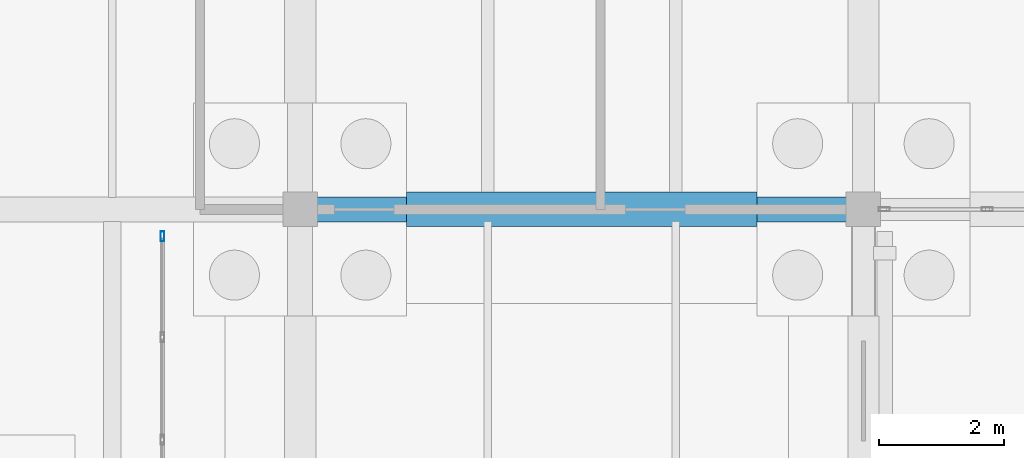
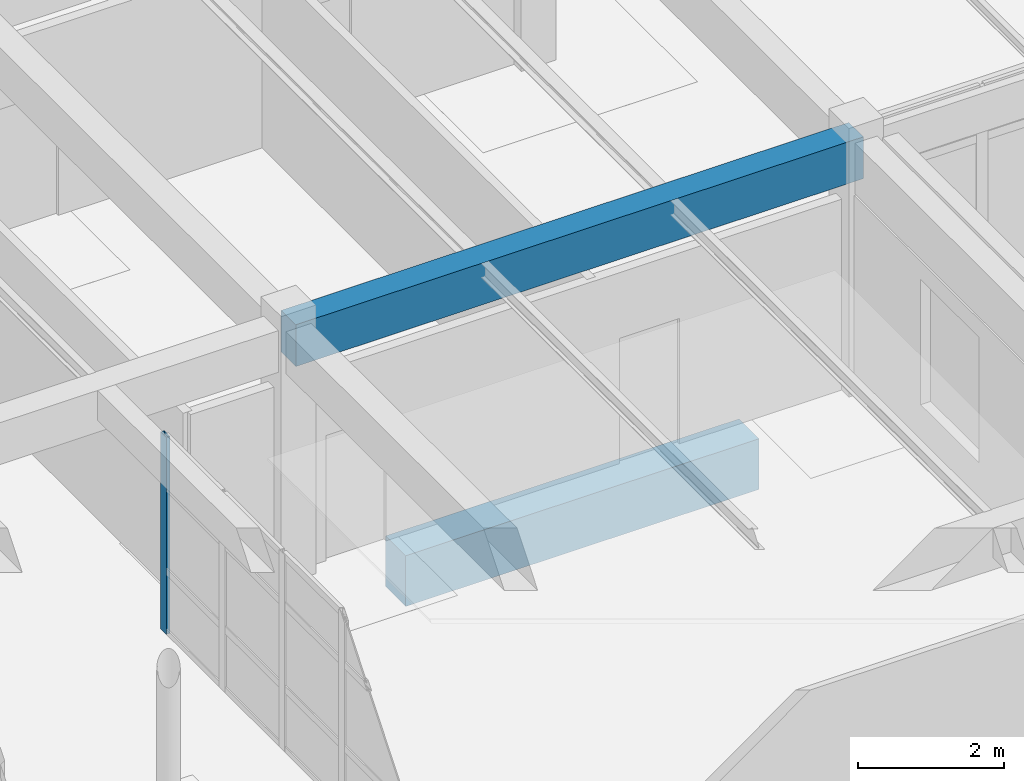
# One storey, part 56 of 186: 2 beams, 1 member, 1 element without a shape of its own.
"""IFC4 building model written with IfcOpenShell, lengths in metres."""

from ifc_helpers import new_model, si_unit, direction, frame, origin, origin_2d, place, context, subcontext, project, spatial, rectangle, hollow_rectangle, extrude, material, layer, layer_set, material_profile, profile_set, type_object, element, aggregate, save


model = new_model("IFC4")

# Units and contexts
model_context = context("Model", 3, precision=1e-05, world=origin(), true_north=direction((0.0, 1.0)))
body_context = subcontext(model_context, "Body", "Model", "MODEL_VIEW")
ifc_project = project(units=[si_unit("LENGTHUNIT", "METRE"), si_unit("AREAUNIT", "SQUARE_METRE"), si_unit("VOLUMEUNIT", "CUBIC_METRE"), si_unit("PLANEANGLEUNIT", "RADIAN"), si_unit("MASSUNIT", "GRAM", prefix="KILO")], contexts=[model_context])

# Site, building, storey
site_placement = place(None, origin())
site = spatial("IfcSite", under=ifc_project, at=site_placement, CompositionType="ELEMENT")
building_placement = place(site_placement, origin())
building = spatial("IfcBuilding", under=site, at=building_placement, Name="Ornek Quay Market", CompositionType="ELEMENT")
storey_placement = place(building_placement, origin())
storey = spatial("IfcBuildingStorey", under=building, at=storey_placement, Name="L00", CompositionType="ELEMENT", Elevation=0.0)

# Beams
ifc_material_1 = material(Name="Concrete C35/45", Category="concrete")
ifc_material_profile_1 = material_profile(ifc_material_1, rectangle(XDim=0.550048828125, YDim=0.85009765625, at=origin_2d()), Name="RC 550x850", Category="concrete")
ifc_profile_set_1 = profile_set([ifc_material_profile_1], Name="Concrete C35/45")
beam_type_1 = type_object("IfcBeamType", Name="BM-GB-550x850", PredefinedType="BEAM", material=ifc_profile_set_1)
beam_1_placement = place(storey_placement, frame((19.699951171875, 92.0, -0.625), z_axis=(1.0, 0.0, 0.0), x_axis=(0.0, 1.0, 0.0)))
element("IfcBeam", 1, at=beam_1_placement, inside=storey, type_object=beam_type_1, Name="Ground tie beam GB-034", PredefinedType="BEAM", context=body_context, shape_type="SweptSolid", body=[
    extrude(rectangle(XDim=0.550048828125, YDim=0.85009765625, at=origin_2d()), origin(), (0.0, 0.0, 1.0), 5.60009765625),
])
ifc_material_profile_2 = material_profile(ifc_material_1, rectangle(XDim=0.39990234375, YDim=0.699951171875, at=origin_2d()), Name="RC 400x700", Category="concrete")
ifc_profile_set_2 = profile_set([ifc_material_profile_2], Name="Concrete C35/45")
beam_type_2 = type_object("IfcBeamType", Name="BM-WW-400x700", PredefinedType="BEAM", material=ifc_profile_set_2)
beam_2_placement = place(storey_placement, frame((18.0, 92.0, 3.8701171875), z_axis=(1.0, 0.0, 0.0), x_axis=(0.0, 1.0, 0.0)))
element("IfcBeam", 2, at=beam_2_placement, inside=storey, type_object=beam_type_2, Name="Primary beam B-WW1-024", PredefinedType="BEAM", context=body_context, shape_type="SweptSolid", body=[
    extrude(rectangle(XDim=0.39990234375, YDim=0.699951171875, at=origin_2d()), origin(), (0.0, 0.0, 1.0), 9.0),
])

# Curtain wall, member
ifc_material_2 = material(Name="Anodised bronze aluminium and triple low-e glass", Category="aluminium")
ifc_layer = layer(ifc_material_2, 0.179931640625, Name="Anodised bronze aluminium and triple low-e glass", Category="aluminium")
ifc_layer_set = layer_set([ifc_layer], Name="Anodised bronze aluminium and triple low-e glass")
curtain_wall_type = type_object("IfcCurtainWallType", Name="CW-CONC-MOD1500", PredefinedType="USERDEFINED", material=ifc_layer_set)
curtain_wall_placement = place(storey_placement, origin())
curtain_wall = element("IfcCurtainWall", 3, at=curtain_wall_placement, inside=storey, type_object=curtain_wall_type, Name="Curtain wall CW-146", ObjectType="CURTAIN WALL", PredefinedType="USERDEFINED")
ifc_material_3 = material(Name="Anodised aluminium 6063-T6", Category="aluminium")
ifc_material_profile_3 = material_profile(ifc_material_3, hollow_rectangle(XDim=0.06005859375, YDim=0.159912109375, WallThickness=0.00390625, at=origin_2d()), Name="CW-MUL-60x160", Category="aluminium")
ifc_profile_set_3 = profile_set([ifc_material_profile_3], Name="Anodised aluminium 6063-T6")
member_type = type_object("IfcMemberType", Name="CW-MUL-60x160", PredefinedType="MULLION", material=ifc_profile_set_3)
member_placement = place(storey_placement, frame((15.800048828125, 91.570068359375, 0.0), z_axis=(0.0, 0.0, 1.0), x_axis=(-1.0, 0.0, 0.0)))
member = element("IfcMember", 4, at=member_placement, type_object=member_type, Name="CW-146 mullion 6", PredefinedType="MULLION", context=body_context, shape_type="SweptSolid", body=[
    extrude(hollow_rectangle(XDim=0.06005859375, YDim=0.159912109375, WallThickness=0.00390625, at=origin_2d()), origin(), (0.0, 0.0, 1.0), 3.300048828125),
])
aggregate(curtain_wall, [member])

save(model, "model.ifc")
